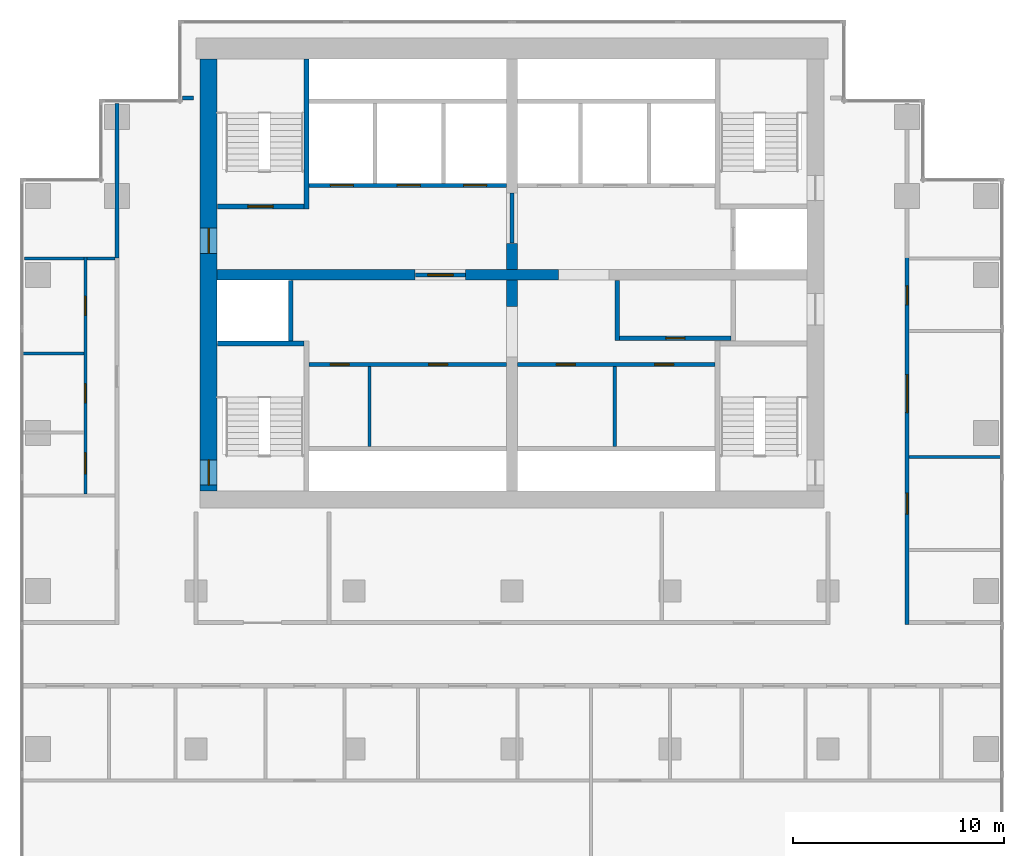
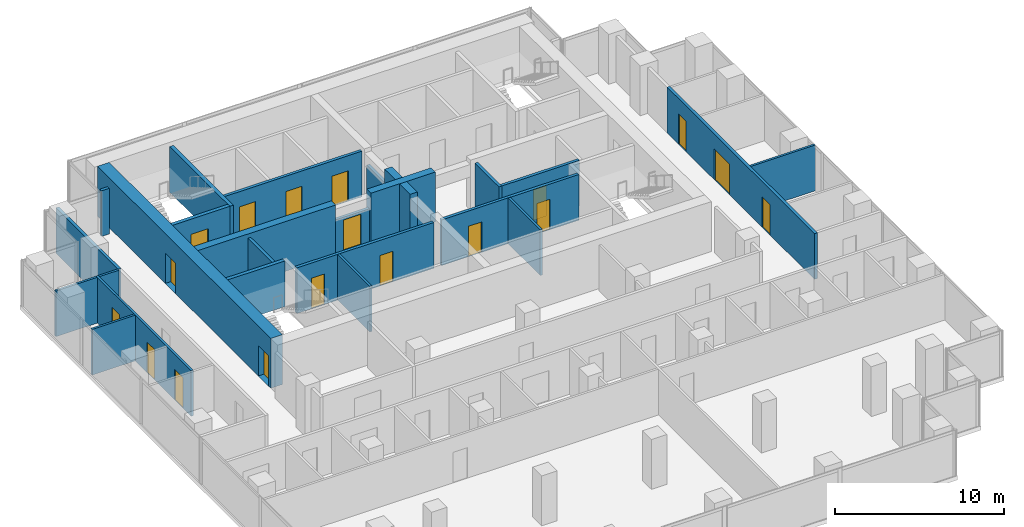
# One storey, part 8 of 10: 26 walls, 18 doors, 18 openings.
"""IFC4 building model written with IfcOpenShell, lengths in metres."""

from ifc_helpers import new_model, si_unit, direction, frame, frame_2d, origin, place, context, subcontext, project, spatial, rectangle, extrude, material, layer, layer_set, type_object, element, fill, save


model = new_model("IFC4")

# Units and contexts
model_context = context("Model", 3, precision=1e-05, world=origin(), true_north=direction((0.0, 1.0)))
body_context = subcontext(model_context, "Body", "Model", "MODEL_VIEW")
ifc_project = project(units=[si_unit("LENGTHUNIT", "METRE"), si_unit("AREAUNIT", "SQUARE_METRE"), si_unit("VOLUMEUNIT", "CUBIC_METRE"), si_unit("PLANEANGLEUNIT", "RADIAN"), si_unit("MASSUNIT", "GRAM", prefix="KILO")], contexts=[model_context])

# Site, building, storey
site_placement = place(None, origin())
site = spatial("IfcSite", under=ifc_project, at=site_placement, CompositionType="ELEMENT")
building_placement = place(site_placement, origin())
building = spatial("IfcBuilding", under=site, at=building_placement, Name="Pilkhan Gate Tower", CompositionType="ELEMENT")
storey_placement = place(building_placement, frame((0.0, 0.0, 169.300048828125)))
storey = spatial("IfcBuildingStorey", under=building, at=storey_placement, Name="L43", CompositionType="ELEMENT", Elevation=169.300048828125)

# Wall, openings, doors
ifc_material_1 = material(Name="Concrete C60/75", Category="concrete")
ifc_layer_1 = layer(ifc_material_1, 0.800048828125)
ifc_layer_set_1 = layer_set([ifc_layer_1], Name="Core wall CW800 C60/75")
wall_type_1 = type_object("IfcWallType", Name="Core wall CW800 C60/75", PredefinedType="SHEAR", material=ifc_layer_set_1)
wall_1_placement = place(storey_placement, frame((60.60009765625, 92.75, 0.0), z_axis=(0.0, 0.0, 1.0), x_axis=(0.0, -1.0, 0.0)))
wall_1 = element("IfcWall", 1, at=wall_1_placement, inside=storey, type_object=wall_type_1, Name="Core wall W L43", PredefinedType="SHEAR", context=body_context, shape_type="SweptSolid", body=[
    extrude(rectangle(XDim=20.5, YDim=0.800048828125, at=frame_2d((10.25, 0.0))), origin(), (0.0, 0.0, 1.0), 3.599853515625),
])
opening_1_placement = place(wall_1_placement, frame((19.02490234375, 0.0, 0.0)))
opening_1 = element("IfcOpeningElement", 2, at=opening_1_placement, cuts=wall_1, Name="Opening L43-04", PredefinedType="OPENING", context=body_context, shape_type="SweptSolid", body=[
    extrude(rectangle(XDim=1.199951171875, YDim=2.199951171875, at=frame_2d((0.60009765625, 1.10009765625))), frame((0.0, 0.409912109375, 0.0), z_axis=(0.0, -1.0, 0.0), x_axis=(1.0, 0.0, 0.0)), (0.0, 0.0, 1.0), 0.820068359375),
])
opening_2_placement = place(wall_1_placement, frame((8.02490234375, 0.0, 0.0)))
opening_2 = element("IfcOpeningElement", 3, at=opening_2_placement, cuts=wall_1, Name="Opening L43-13", PredefinedType="OPENING", context=body_context, shape_type="SweptSolid", body=[
    extrude(rectangle(XDim=1.199951171875, YDim=2.199951171875, at=frame_2d((0.60009765625, 1.10009765625))), frame((0.0, 0.409912109375, 0.0), z_axis=(0.0, -1.0, 0.0), x_axis=(1.0, 0.0, 0.0)), (0.0, 0.0, 1.0), 0.820068359375),
])
ifc_material_2 = material(Name="Steel door, 120 minute fire resisting, self-closing", Category="steel")
door_type_1 = type_object("IfcDoorType", Name="Firefighting lobby door D10 1200x2200", OperationType="SINGLE_SWING_LEFT", PredefinedType="DOOR", material=ifc_material_2)
door_1_placement = place(opening_2_placement, origin())
door_1 = element("IfcDoor", 4, at=door_1_placement, inside=storey, type_object=door_type_1, Name="Core door", OperationType="SINGLE_SWING_LEFT", OverallHeight=2.199951171875, OverallWidth=1.199951171875, PredefinedType="DOOR", context=body_context, shape_type="SweptSolid", body=[
    extrude(rectangle(XDim=1.199951171875, YDim=2.199951171875, at=frame_2d((0.60009765625, 1.10009765625))), frame((0.0, 0.02490234375, 0.0), z_axis=(0.0, -1.0, 0.0), x_axis=(1.0, 0.0, 0.0)), (0.0, 0.0, 1.0), 0.050048828125),
])
fill(opening_2, door_1)
ifc_material_3 = material(Name="Steel door, 120 minute fire resisting, panic bar", Category="steel")
door_type_2 = type_object("IfcDoorType", Name="Stair door D11 1200x2200", OperationType="SINGLE_SWING_LEFT", PredefinedType="DOOR", material=ifc_material_3)
door_2_placement = place(opening_1_placement, origin())
door_2 = element("IfcDoor", 5, at=door_2_placement, inside=storey, type_object=door_type_2, Name="Stair ST2 door", OperationType="SINGLE_SWING_RIGHT", OverallHeight=2.199951171875, OverallWidth=1.199951171875, PredefinedType="DOOR", context=body_context, shape_type="SweptSolid", body=[
    extrude(rectangle(XDim=1.199951171875, YDim=2.199951171875, at=frame_2d((0.60009765625, 1.10009765625))), frame((0.0, 0.02490234375, 0.0), z_axis=(0.0, -1.0, 0.0), x_axis=(1.0, 0.0, 0.0)), (0.0, 0.0, 1.0), 0.050048828125),
])
fill(opening_1, door_2)

# Walls
ifc_material_4 = material(Name="Dense blockwork", Category="masonry")
ifc_layer_2 = layer(ifc_material_4, 0.199951171875)
ifc_layer_set_2 = layer_set([ifc_layer_2], Name="Corridor wall FW200")
wall_type_2 = type_object("IfcWallType", Name="Corridor wall FW200", PredefinedType="PARTITIONING", material=ifc_layer_set_2)
wall_2_placement = place(storey_placement, frame((59.35498046875, 90.89990234375, 0.0), z_axis=(0.0, 0.0, 1.0), x_axis=(1.0, 0.0, 0.0)))
element("IfcWall", 6, at=wall_2_placement, inside=storey, type_object=wall_type_2, Name="Partition L43", PredefinedType="PARTITIONING", context=body_context, shape_type="SweptSolid", body=[
    extrude(rectangle(XDim=0.52490234375, YDim=0.199951171875, at=frame_2d((0.262451171875, 0.0))), origin(), (0.0, 0.0, 1.0), 3.300048828125),
])
wall_3_placement = place(storey_placement, frame((56.25, 83.31005859375, 0.0), z_axis=(0.0, 0.0, 1.0), x_axis=(0.0, 1.0, 0.0)))
element("IfcWall", 7, at=wall_3_placement, inside=storey, type_object=wall_type_2, Name="Partition L43", PredefinedType="PARTITIONING", context=body_context, shape_type="SweptSolid", body=[
    extrude(rectangle(XDim=7.3349609375, YDim=0.199951171875, at=frame_2d((3.66748046875, 0.0))), origin(), (0.0, 0.0, 1.0), 3.300048828125),
])

# Wall, openings, doors
wall_4_placement = place(storey_placement, frame((93.75, 65.89990234375, 0.0), z_axis=(0.0, 0.0, 1.0), x_axis=(0.0, 1.0, 0.0)))
wall_4 = element("IfcWall", 8, at=wall_4_placement, inside=storey, type_object=wall_type_2, Name="Partition L43", PredefinedType="PARTITIONING", context=body_context, shape_type="SweptSolid", body=[
    extrude(rectangle(XDim=17.455078125, YDim=0.199951171875, at=frame_2d((8.7275390625, 0.0))), origin(), (0.0, 0.0, 1.0), 3.300048828125),
])
opening_3_placement = place(wall_4_placement, frame((5.2470703125, 0.0, 0.0)))
opening_3 = element("IfcOpeningElement", 9, at=opening_3_placement, cuts=wall_4, Name="Opening L43-34", PredefinedType="OPENING", context=body_context, shape_type="SweptSolid", body=[
    extrude(rectangle(XDim=1.0, YDim=2.199951171875, at=frame_2d((0.5, 1.10009765625))), frame((0.0, 0.10986328125, 0.0), z_axis=(0.0, -1.0, 0.0), x_axis=(1.0, 0.0, 0.0)), (0.0, 0.0, 1.0), 0.219970703125),
])
opening_4_placement = place(wall_4_placement, frame((10.06689453125, 0.0, 0.0)))
opening_4 = element("IfcOpeningElement", 10, at=opening_4_placement, cuts=wall_4, Name="Opening L43-35", PredefinedType="OPENING", context=body_context, shape_type="SweptSolid", body=[
    extrude(rectangle(XDim=1.800048828125, YDim=2.199951171875, at=frame_2d((0.89990234375, 1.10009765625))), frame((0.0, 0.10986328125, 0.0), z_axis=(0.0, -1.0, 0.0), x_axis=(1.0, 0.0, 0.0)), (0.0, 0.0, 1.0), 0.219970703125),
])
opening_5_placement = place(wall_4_placement, frame((15.18310546875, 0.0, 0.0)))
opening_5 = element("IfcOpeningElement", 11, at=opening_5_placement, cuts=wall_4, Name="Opening L43-36", PredefinedType="OPENING", context=body_context, shape_type="SweptSolid", body=[
    extrude(rectangle(XDim=0.89990234375, YDim=2.199951171875, at=frame_2d((0.449951171875, 1.10009765625))), frame((0.0, 0.10986328125, 0.0), z_axis=(0.0, -1.0, 0.0), x_axis=(1.0, 0.0, 0.0)), (0.0, 0.0, 1.0), 0.219970703125),
])
ifc_material_5 = material(Name="Timber glazed double door, 30 minute fire resisting", Category="wood")
door_type_3 = type_object("IfcDoorType", Name="Double door D04 1800x2200", OperationType="DOUBLE_DOOR_SINGLE_SWING", PredefinedType="DOOR", material=ifc_material_5)
door_3_placement = place(opening_4_placement, origin())
door_3 = element("IfcDoor", 12, at=door_3_placement, inside=storey, type_object=door_type_3, Name="Double door", OperationType="DOUBLE_DOOR_SINGLE_SWING", OverallHeight=2.199951171875, OverallWidth=1.800048828125, PredefinedType="DOOR", context=body_context, shape_type="SweptSolid", body=[
    extrude(rectangle(XDim=1.800048828125, YDim=2.199951171875, at=frame_2d((0.89990234375, 1.10009765625))), frame((0.0, 0.02490234375, 0.0), z_axis=(0.0, -1.0, 0.0), x_axis=(1.0, 0.0, 0.0)), (0.0, 0.0, 1.0), 0.050048828125),
])
fill(opening_4, door_3)
ifc_material_6 = material(Name="Timber flush door, 30 minute fire resisting", Category="wood")
door_type_4 = type_object("IfcDoorType", Name="Room door D03 1000x2200", OperationType="SINGLE_SWING_LEFT", PredefinedType="DOOR", material=ifc_material_6)
door_4_placement = place(opening_3_placement, origin())
door_4 = element("IfcDoor", 13, at=door_4_placement, inside=storey, type_object=door_type_4, Name="Room door", OperationType="SINGLE_SWING_LEFT", OverallHeight=2.199951171875, OverallWidth=1.0, PredefinedType="DOOR", context=body_context, shape_type="SweptSolid", body=[
    extrude(rectangle(XDim=1.0, YDim=2.199951171875, at=frame_2d((0.5, 1.10009765625))), frame((0.0, 0.02490234375, 0.0), z_axis=(0.0, -1.0, 0.0), x_axis=(1.0, 0.0, 0.0)), (0.0, 0.0, 1.0), 0.050048828125),
])
fill(opening_3, door_4)
ifc_material_7 = material(Name="Timber flush door, 60 minute fire resisting, self-closing", Category="wood")
door_type_5 = type_object("IfcDoorType", Name="Store door D05 900x2200", OperationType="SINGLE_SWING_LEFT", PredefinedType="DOOR", material=ifc_material_7)
door_5_placement = place(opening_5_placement, origin())
door_5 = element("IfcDoor", 14, at=door_5_placement, inside=storey, type_object=door_type_5, Name="Store door", OperationType="SINGLE_SWING_LEFT", OverallHeight=2.199951171875, OverallWidth=0.89990234375, PredefinedType="DOOR", context=body_context, shape_type="SweptSolid", body=[
    extrude(rectangle(XDim=0.89990234375, YDim=2.199951171875, at=frame_2d((0.449951171875, 1.10009765625))), frame((0.0, 0.02490234375, 0.0), z_axis=(0.0, -1.0, 0.0), x_axis=(1.0, 0.0, 0.0)), (0.0, 0.0, 1.0), 0.050048828125),
])
fill(opening_5, door_5)

ifc_layer_3 = layer(ifc_material_4, 0.199951171875)
ifc_layer_set_3 = layer_set([ifc_layer_3], Name="Lobby wall LW200")
wall_type_3 = type_object("IfcWallType", Name="Lobby wall LW200", PredefinedType="PARTITIONING", material=ifc_layer_set_3)
wall_5_placement = place(storey_placement, frame((65.375, 78.25, 0.0), z_axis=(0.0, 0.0, 1.0), x_axis=(1.0, 0.0, 0.0)))
wall_5 = element("IfcWall", 15, at=wall_5_placement, inside=storey, type_object=wall_type_3, Name="Partition L43", PredefinedType="PARTITIONING", context=body_context, shape_type="SweptSolid", body=[
    extrude(rectangle(XDim=9.364990234375, YDim=0.199951171875, at=frame_2d((4.6826171875, 0.0))), origin(), (0.0, 0.0, 1.0), 3.300048828125),
])
opening_6_placement = place(wall_5_placement, frame((1.0, 0.0, 0.0)))
opening_6 = element("IfcOpeningElement", 16, at=opening_6_placement, cuts=wall_5, Name="Opening L43-14", PredefinedType="OPENING", context=body_context, shape_type="SweptSolid", body=[
    extrude(rectangle(XDim=0.89990234375, YDim=2.199951171875, at=frame_2d((0.449951171875, 1.10009765625))), frame((0.0, 0.10986328125, 0.0), z_axis=(0.0, -1.0, 0.0), x_axis=(1.0, 0.0, 0.0)), (0.0, 0.0, 1.0), 0.219970703125),
])
opening_7_placement = place(wall_5_placement, frame((5.6650390625, 0.0, 0.0)))
opening_7 = element("IfcOpeningElement", 17, at=opening_7_placement, cuts=wall_5, Name="Opening L43-15", PredefinedType="OPENING", context=body_context, shape_type="SweptSolid", body=[
    extrude(rectangle(XDim=0.89990234375, YDim=2.199951171875, at=frame_2d((0.449951171875, 1.10009765625))), frame((0.0, 0.10986328125, 0.0), z_axis=(0.0, -1.0, 0.0), x_axis=(1.0, 0.0, 0.0)), (0.0, 0.0, 1.0), 0.219970703125),
])
door_6_placement = place(opening_6_placement, origin())
door_6 = element("IfcDoor", 18, at=door_6_placement, inside=storey, type_object=door_type_5, Name="Store door", OperationType="SINGLE_SWING_RIGHT", OverallHeight=2.199951171875, OverallWidth=0.89990234375, PredefinedType="DOOR", context=body_context, shape_type="SweptSolid", body=[
    extrude(rectangle(XDim=0.89990234375, YDim=2.199951171875, at=frame_2d((0.449951171875, 1.10009765625))), frame((0.0, 0.02490234375, 0.0), z_axis=(0.0, -1.0, 0.0), x_axis=(1.0, 0.0, 0.0)), (0.0, 0.0, 1.0), 0.050048828125),
])
fill(opening_6, door_6)
door_7_placement = place(opening_7_placement, origin())
door_7 = element("IfcDoor", 19, at=door_7_placement, inside=storey, type_object=door_type_5, Name="Store door", OperationType="SINGLE_SWING_LEFT", OverallHeight=2.199951171875, OverallWidth=0.89990234375, PredefinedType="DOOR", context=body_context, shape_type="SweptSolid", body=[
    extrude(rectangle(XDim=0.89990234375, YDim=2.199951171875, at=frame_2d((0.449951171875, 1.10009765625))), frame((0.0, 0.02490234375, 0.0), z_axis=(0.0, -1.0, 0.0), x_axis=(1.0, 0.0, 0.0)), (0.0, 0.0, 1.0), 0.050048828125),
])
fill(opening_7, door_7)

wall_6_placement = place(storey_placement, frame((75.260009765625, 78.25, 0.0), z_axis=(0.0, 0.0, 1.0), x_axis=(1.0, 0.0, 0.0)))
wall_6 = element("IfcWall", 20, at=wall_6_placement, inside=storey, type_object=wall_type_3, Name="Partition L43", PredefinedType="PARTITIONING", context=body_context, shape_type="SweptSolid", body=[
    extrude(rectangle(XDim=9.364990234375, YDim=0.199951171875, at=frame_2d((4.6826171875, 0.0))), origin(), (0.0, 0.0, 1.0), 3.300048828125),
])
opening_8_placement = place(wall_6_placement, frame((1.85009765625, 0.0, 0.0)))
opening_8 = element("IfcOpeningElement", 21, at=opening_8_placement, cuts=wall_6, Name="Opening L43-16", PredefinedType="OPENING", context=body_context, shape_type="SweptSolid", body=[
    extrude(rectangle(XDim=0.89990234375, YDim=2.199951171875, at=frame_2d((0.449951171875, 1.10009765625))), frame((0.0, 0.10986328125, 0.0), z_axis=(0.0, -1.0, 0.0), x_axis=(1.0, 0.0, 0.0)), (0.0, 0.0, 1.0), 0.219970703125),
])
opening_9_placement = place(wall_6_placement, frame((6.514892578125, 0.0, 0.0)))
opening_9 = element("IfcOpeningElement", 22, at=opening_9_placement, cuts=wall_6, Name="Opening L43-17", PredefinedType="OPENING", context=body_context, shape_type="SweptSolid", body=[
    extrude(rectangle(XDim=0.89990234375, YDim=2.199951171875, at=frame_2d((0.449951171875, 1.10009765625))), frame((0.0, 0.10986328125, 0.0), z_axis=(0.0, -1.0, 0.0), x_axis=(1.0, 0.0, 0.0)), (0.0, 0.0, 1.0), 0.219970703125),
])
door_8_placement = place(opening_8_placement, origin())
door_8 = element("IfcDoor", 23, at=door_8_placement, inside=storey, type_object=door_type_5, Name="Store door", OperationType="SINGLE_SWING_RIGHT", OverallHeight=2.199951171875, OverallWidth=0.89990234375, PredefinedType="DOOR", context=body_context, shape_type="SweptSolid", body=[
    extrude(rectangle(XDim=0.89990234375, YDim=2.199951171875, at=frame_2d((0.449951171875, 1.10009765625))), frame((0.0, 0.02490234375, 0.0), z_axis=(0.0, -1.0, 0.0), x_axis=(1.0, 0.0, 0.0)), (0.0, 0.0, 1.0), 0.050048828125),
])
fill(opening_8, door_8)
door_9_placement = place(opening_9_placement, origin())
door_9 = element("IfcDoor", 24, at=door_9_placement, inside=storey, type_object=door_type_5, Name="Store door", OperationType="SINGLE_SWING_LEFT", OverallHeight=2.199951171875, OverallWidth=0.89990234375, PredefinedType="DOOR", context=body_context, shape_type="SweptSolid", body=[
    extrude(rectangle(XDim=0.89990234375, YDim=2.199951171875, at=frame_2d((0.449951171875, 1.10009765625))), frame((0.0, 0.02490234375, 0.0), z_axis=(0.0, -1.0, 0.0), x_axis=(1.0, 0.0, 0.0)), (0.0, 0.0, 1.0), 0.050048828125),
])
fill(opening_9, door_9)

# Wall, opening, door
wall_7_placement = place(storey_placement, frame((80.10009765625, 79.5, 0.0), z_axis=(0.0, 0.0, 1.0), x_axis=(1.0, 0.0, 0.0)))
wall_7 = element("IfcWall", 25, at=wall_7_placement, inside=storey, type_object=wall_type_3, Name="Partition L43", PredefinedType="PARTITIONING", context=body_context, shape_type="SweptSolid", body=[
    extrude(rectangle(XDim=5.2998046875, YDim=0.199951171875, at=frame_2d((2.64990234375, 0.0))), origin(), (0.0, 0.0, 1.0), 3.300048828125),
])
opening_10_placement = place(wall_7_placement, frame((2.199951171875, 0.0, 0.0)))
opening_10 = element("IfcOpeningElement", 26, at=opening_10_placement, cuts=wall_7, Name="Opening L43-12", PredefinedType="OPENING", context=body_context, shape_type="SweptSolid", body=[
    extrude(rectangle(XDim=0.89990234375, YDim=2.199951171875, at=frame_2d((0.449951171875, 1.10009765625))), frame((0.0, 0.10986328125, 0.0), z_axis=(0.0, -1.0, 0.0), x_axis=(1.0, 0.0, 0.0)), (0.0, 0.0, 1.0), 0.219970703125),
])
door_10_placement = place(opening_10_placement, origin())
door_10 = element("IfcDoor", 27, at=door_10_placement, inside=storey, type_object=door_type_5, Name="Store door", OperationType="SINGLE_SWING_RIGHT", OverallHeight=2.199951171875, OverallWidth=0.89990234375, PredefinedType="DOOR", context=body_context, shape_type="SweptSolid", body=[
    extrude(rectangle(XDim=0.89990234375, YDim=2.199951171875, at=frame_2d((0.449951171875, 1.10009765625))), frame((0.0, 0.02490234375, 0.0), z_axis=(0.0, -1.0, 0.0), x_axis=(1.0, 0.0, 0.0)), (0.0, 0.0, 1.0), 0.050048828125),
])
fill(opening_10, door_10)

wall_8_placement = place(storey_placement, frame((70.409912109375, 82.5, 0.0), z_axis=(0.0, 0.0, 1.0), x_axis=(1.0, 0.0, 0.0)))
wall_8 = element("IfcWall", 28, at=wall_8_placement, inside=storey, type_object=wall_type_3, Name="Partition L43", PredefinedType="PARTITIONING", context=body_context, shape_type="SweptSolid", body=[
    extrude(rectangle(XDim=2.380126953125, YDim=0.199951171875, at=frame_2d((1.18994140625, 0.0))), origin(), (0.0, 0.0, 1.0), 2.39990234375),
])
opening_11_placement = place(wall_8_placement, frame((0.60009765625, 0.0, 0.0)))
opening_11 = element("IfcOpeningElement", 29, at=opening_11_placement, cuts=wall_8, Name="Opening L43-01", PredefinedType="OPENING", context=body_context, shape_type="SweptSolid", body=[
    extrude(rectangle(XDim=1.199951171875, YDim=2.199951171875, at=frame_2d((0.60009765625, 1.10009765625))), frame((0.0, 0.10986328125, 0.0), z_axis=(0.0, -1.0, 0.0), x_axis=(1.0, 0.0, 0.0)), (0.0, 0.0, 1.0), 0.219970703125),
])
door_11_placement = place(opening_11_placement, origin())
door_11 = element("IfcDoor", 30, at=door_11_placement, inside=storey, type_object=door_type_1, Name="Firefighting lobby door", OperationType="SINGLE_SWING_LEFT", OverallHeight=2.199951171875, OverallWidth=1.199951171875, PredefinedType="DOOR", context=body_context, shape_type="SweptSolid", body=[
    extrude(rectangle(XDim=1.199951171875, YDim=2.199951171875, at=frame_2d((0.60009765625, 1.10009765625))), frame((0.0, 0.02490234375, 0.0), z_axis=(0.0, -1.0, 0.0), x_axis=(1.0, 0.0, 0.0)), (0.0, 0.0, 1.0), 0.050048828125),
])
fill(opening_11, door_11)

# Walls
wall_9_placement = place(storey_placement, frame((75.0, 84.010009765625, 0.0), z_axis=(0.0, 0.0, 1.0), x_axis=(0.0, 1.0, 0.0)))
element("IfcWall", 31, at=wall_9_placement, inside=storey, type_object=wall_type_3, Name="Partition L43", PredefinedType="PARTITIONING", context=body_context, shape_type="SweptSolid", body=[
    extrude(rectangle(XDim=2.3798828125, YDim=0.199951171875, at=frame_2d((1.18994140625, 0.0))), origin(), (0.0, 0.0, 1.0), 2.39990234375),
])
wall_10_placement = place(storey_placement, frame((80.0, 79.39990234375, 0.0), z_axis=(0.0, 0.0, 1.0), x_axis=(0.0, 1.0, 0.0)))
element("IfcWall", 32, at=wall_10_placement, inside=storey, type_object=wall_type_3, Name="Partition L43", PredefinedType="PARTITIONING", context=body_context, shape_type="SweptSolid", body=[
    extrude(rectangle(XDim=2.840087890625, YDim=0.199951171875, at=frame_2d((1.419921875, 0.0))), origin(), (0.0, 0.0, 1.0), 3.300048828125),
])
ifc_material_8 = material(Name="Blockwork partition, plastered both sides", Category="masonry")
ifc_layer_4 = layer(ifc_material_8, 0.14990234375)
ifc_layer_set_4 = layer_set([ifc_layer_4], Name="Partition PW150")
wall_type_4 = type_object("IfcWallType", Name="Partition PW150", PredefinedType="PARTITIONING", material=ifc_layer_set_4)
wall_11_placement = place(storey_placement, frame((93.85009765625, 73.866943359375, 0.0), z_axis=(0.0, 0.0, 1.0), x_axis=(1.0, 0.0, 0.0)))
element("IfcWall", 33, at=wall_11_placement, inside=storey, type_object=wall_type_4, Name="Partition L43", PredefinedType="PARTITIONING", context=body_context, shape_type="SweptSolid", body=[
    extrude(rectangle(XDim=4.414794921875, YDim=0.14990234375, at=frame_2d((2.20751953125, 0.0))), origin(), (0.0, 0.0, 1.0), 3.300048828125),
])
wall_12_placement = place(storey_placement, frame((51.735107421875, 78.780029296875, 0.0), z_axis=(0.0, 0.0, 1.0), x_axis=(1.0, 0.0, 0.0)))
element("IfcWall", 34, at=wall_12_placement, inside=storey, type_object=wall_type_4, Name="Partition L43", PredefinedType="PARTITIONING", context=body_context, shape_type="SweptSolid", body=[
    extrude(rectangle(XDim=2.93994140625, YDim=0.14990234375, at=frame_2d((1.469970703125, 0.0))), origin(), (0.0, 0.0, 1.0), 3.300048828125),
])
wall_13_placement = place(storey_placement, frame((51.85498046875, 83.280029296875, 0.0), z_axis=(0.0, 0.0, 1.0), x_axis=(1.0, 0.0, 0.0)))
element("IfcWall", 35, at=wall_13_placement, inside=storey, type_object=wall_type_4, Name="Partition L43", PredefinedType="PARTITIONING", context=body_context, shape_type="SweptSolid", body=[
    extrude(rectangle(XDim=2.820068359375, YDim=0.14990234375, at=frame_2d((1.41015625, 0.0))), origin(), (0.0, 0.0, 1.0), 3.300048828125),
])
wall_14_placement = place(storey_placement, frame((54.824951171875, 83.280029296875, 0.0), z_axis=(0.0, 0.0, 1.0), x_axis=(1.0, 0.0, 0.0)))
element("IfcWall", 36, at=wall_14_placement, inside=storey, type_object=wall_type_4, Name="Partition L43", PredefinedType="PARTITIONING", context=body_context, shape_type="SweptSolid", body=[
    extrude(rectangle(XDim=1.324951171875, YDim=0.14990234375, at=frame_2d((0.66259765625, 0.0))), origin(), (0.0, 0.0, 1.0), 3.300048828125),
])

# Wall, openings, doors
wall_15_placement = place(storey_placement, frame((54.75, 72.10498046875, 0.0), z_axis=(0.0, 0.0, 1.0), x_axis=(0.0, 1.0, 0.0)))
wall_15 = element("IfcWall", 37, at=wall_15_placement, inside=storey, type_object=wall_type_4, Name="Partition L43", PredefinedType="PARTITIONING", context=body_context, shape_type="SweptSolid", body=[
    extrude(rectangle(XDim=11.25, YDim=0.14990234375, at=frame_2d((5.625, 0.0))), origin(), (0.0, 0.0, 1.0), 3.300048828125),
])
opening_12_placement = place(wall_15_placement, frame((0.949951171875, 0.0, 0.0)))
opening_12 = element("IfcOpeningElement", 38, at=opening_12_placement, cuts=wall_15, Name="Opening L43-29", PredefinedType="OPENING", context=body_context, shape_type="SweptSolid", body=[
    extrude(rectangle(XDim=1.0, YDim=2.199951171875, at=frame_2d((0.5, 1.10009765625))), frame((0.0, 0.0849609375, 0.0), z_axis=(0.0, -1.0, 0.0), x_axis=(1.0, 0.0, 0.0)), (0.0, 0.0, 1.0), 0.169921875),
])
opening_13_placement = place(wall_15_placement, frame((4.324951171875, 0.0, 0.0)))
opening_13 = element("IfcOpeningElement", 39, at=opening_13_placement, cuts=wall_15, Name="Opening L43-30", PredefinedType="OPENING", context=body_context, shape_type="SweptSolid", body=[
    extrude(rectangle(XDim=0.89990234375, YDim=2.199951171875, at=frame_2d((0.449951171875, 1.10009765625))), frame((0.0, 0.0849609375, 0.0), z_axis=(0.0, -1.0, 0.0), x_axis=(1.0, 0.0, 0.0)), (0.0, 0.0, 1.0), 0.169921875),
])
opening_14_placement = place(wall_15_placement, frame((8.47509765625, 0.0, 0.0)))
opening_14 = element("IfcOpeningElement", 40, at=opening_14_placement, cuts=wall_15, Name="Opening L43-31", PredefinedType="OPENING", context=body_context, shape_type="SweptSolid", body=[
    extrude(rectangle(XDim=0.89990234375, YDim=2.199951171875, at=frame_2d((0.449951171875, 1.10009765625))), frame((0.0, 0.0849609375, 0.0), z_axis=(0.0, -1.0, 0.0), x_axis=(1.0, 0.0, 0.0)), (0.0, 0.0, 1.0), 0.169921875),
])
ifc_material_9 = material(Name="Timber flush door, outward opening, 30 minute fire resisting", Category="wood")
door_type_6 = type_object("IfcDoorType", Name="Accessible toilet door D07 1000x2200", OperationType="SINGLE_SWING_LEFT", PredefinedType="DOOR", material=ifc_material_9)
door_12_placement = place(opening_12_placement, origin())
door_12 = element("IfcDoor", 41, at=door_12_placement, inside=storey, type_object=door_type_6, Name="Accessible toilet door", OperationType="SINGLE_SWING_RIGHT", OverallHeight=2.199951171875, OverallWidth=1.0, PredefinedType="DOOR", context=body_context, shape_type="SweptSolid", body=[
    extrude(rectangle(XDim=1.0, YDim=2.199951171875, at=frame_2d((0.5, 1.10009765625))), frame((0.0, 0.02490234375, 0.0), z_axis=(0.0, -1.0, 0.0), x_axis=(1.0, 0.0, 0.0)), (0.0, 0.0, 1.0), 0.050048828125),
])
fill(opening_12, door_12)
door_type_7 = type_object("IfcDoorType", Name="Toilet door D06 900x2200", OperationType="SINGLE_SWING_LEFT", PredefinedType="DOOR", material=ifc_material_6)
door_13_placement = place(opening_13_placement, origin())
door_13 = element("IfcDoor", 42, at=door_13_placement, inside=storey, type_object=door_type_7, Name="Toilet door", OperationType="SINGLE_SWING_LEFT", OverallHeight=2.199951171875, OverallWidth=0.89990234375, PredefinedType="DOOR", context=body_context, shape_type="SweptSolid", body=[
    extrude(rectangle(XDim=0.89990234375, YDim=2.199951171875, at=frame_2d((0.449951171875, 1.10009765625))), frame((0.0, 0.02490234375, 0.0), z_axis=(0.0, -1.0, 0.0), x_axis=(1.0, 0.0, 0.0)), (0.0, 0.0, 1.0), 0.050048828125),
])
fill(opening_13, door_13)
door_14_placement = place(opening_14_placement, origin())
door_14 = element("IfcDoor", 43, at=door_14_placement, inside=storey, type_object=door_type_7, Name="Toilet door", OperationType="SINGLE_SWING_LEFT", OverallHeight=2.199951171875, OverallWidth=0.89990234375, PredefinedType="DOOR", context=body_context, shape_type="SweptSolid", body=[
    extrude(rectangle(XDim=0.89990234375, YDim=2.199951171875, at=frame_2d((0.449951171875, 1.10009765625))), frame((0.0, 0.02490234375, 0.0), z_axis=(0.0, -1.0, 0.0), x_axis=(1.0, 0.0, 0.0)), (0.0, 0.0, 1.0), 0.050048828125),
])
fill(opening_14, door_14)

# Walls
for number, where, z_axis, x_axis, name in (
    (44, (68.239990234375, 74.35009765625, 0.0), (0.0, 0.0, 1.0), (0.0, 1.0, 0.0), "Partition L43"),
    (45, (79.875, 74.35009765625, 0.0), (0.0, 0.0, 1.0), (0.0, 1.0, 0.0), "Partition L43"),
):
    element("IfcWall", number, at=place(storey_placement, frame(where, z_axis=z_axis, x_axis=x_axis)), inside=storey, type_object=wall_type_4, Name=name, PredefinedType="PARTITIONING", context=body_context, shape_type="SweptSolid", body=[
        extrude(rectangle(XDim=3.7998046875, YDim=0.14990234375, at=frame_2d((1.89990234375, 0.0))), origin(), (0.0, 0.0, 1.0), 3.300048828125),
    ])

# Wall, openings, doors
ifc_material_10 = material(Name="Reinforced blockwork shaft wall, 120 minute fire resisting", Category="masonry")
ifc_layer_5 = layer(ifc_material_10, 0.199951171875)
ifc_layer_set_5 = layer_set([ifc_layer_5], Name="Shaft wall SW200")
wall_type_5 = type_object("IfcWallType", Name="Shaft wall SW200", PredefinedType="PARTITIONING", material=ifc_layer_set_5)
wall_16_placement = place(storey_placement, frame((65.375, 86.75, 0.0), z_axis=(0.0, 0.0, 1.0), x_axis=(1.0, 0.0, 0.0)))
wall_16 = element("IfcWall", 46, at=wall_16_placement, inside=storey, type_object=wall_type_5, Name="Partition L43", PredefinedType="PARTITIONING", context=body_context, shape_type="SweptSolid", body=[
    extrude(rectangle(XDim=9.364990234375, YDim=0.199951171875, at=frame_2d((4.6826171875, 0.0))), origin(), (0.0, 0.0, 1.0), 3.300048828125),
])
opening_15_placement = place(wall_16_placement, frame((1.0, 0.0, 0.0)))
opening_15 = element("IfcOpeningElement", 47, at=opening_15_placement, cuts=wall_16, Name="Opening LD", PredefinedType="OPENING", context=body_context, shape_type="SweptSolid", body=[
    extrude(rectangle(XDim=1.10009765625, YDim=2.199951171875, at=frame_2d((0.550048828125, 1.10009765625))), frame((0.0, 0.10986328125, 0.0), z_axis=(0.0, -1.0, 0.0), x_axis=(1.0, 0.0, 0.0)), (0.0, 0.0, 1.0), 0.219970703125),
])
opening_16_placement = place(wall_16_placement, frame((4.175048828125, 0.0, 0.0)))
opening_16 = element("IfcOpeningElement", 48, at=opening_16_placement, cuts=wall_16, Name="Opening LD", PredefinedType="OPENING", context=body_context, shape_type="SweptSolid", body=[
    extrude(rectangle(XDim=1.10009765625, YDim=2.199951171875, at=frame_2d((0.550048828125, 1.10009765625))), frame((0.0, 0.10986328125, 0.0), z_axis=(0.0, -1.0, 0.0), x_axis=(1.0, 0.0, 0.0)), (0.0, 0.0, 1.0), 0.219970703125),
])
opening_17_placement = place(wall_16_placement, frame((7.324951171875, 0.0, 0.0)))
opening_17 = element("IfcOpeningElement", 49, at=opening_17_placement, cuts=wall_16, Name="Opening LD", PredefinedType="OPENING", context=body_context, shape_type="SweptSolid", body=[
    extrude(rectangle(XDim=1.10009765625, YDim=2.199951171875, at=frame_2d((0.550048828125, 1.10009765625))), frame((0.0, 0.10986328125, 0.0), z_axis=(0.0, -1.0, 0.0), x_axis=(1.0, 0.0, 0.0)), (0.0, 0.0, 1.0), 0.219970703125),
])
ifc_material_11 = material(Name="Stainless steel centre-opening landing door, 120 minute fire resisting", Category="steel")
door_type_8 = type_object("IfcDoorType", Name="Lift landing door LD 1100x2200", OperationType="DOUBLE_DOOR_SLIDING", PredefinedType="DOOR", material=ifc_material_11)
door_15_placement = place(opening_15_placement, origin())
door_15 = element("IfcDoor", 50, at=door_15_placement, inside=storey, type_object=door_type_8, Name="Landing door FF1", OperationType="DOUBLE_DOOR_SLIDING", OverallHeight=2.199951171875, OverallWidth=1.10009765625, PredefinedType="DOOR", context=body_context, shape_type="SweptSolid", body=[
    extrude(rectangle(XDim=1.10009765625, YDim=2.199951171875, at=frame_2d((0.550048828125, 1.10009765625))), frame((0.0, 0.02490234375, 0.0), z_axis=(0.0, -1.0, 0.0), x_axis=(1.0, 0.0, 0.0)), (0.0, 0.0, 1.0), 0.050048828125),
])
fill(opening_15, door_15)
door_16_placement = place(opening_16_placement, origin())
door_16 = element("IfcDoor", 51, at=door_16_placement, inside=storey, type_object=door_type_8, Name="Landing door FF2", OperationType="DOUBLE_DOOR_SLIDING", OverallHeight=2.199951171875, OverallWidth=1.10009765625, PredefinedType="DOOR", context=body_context, shape_type="SweptSolid", body=[
    extrude(rectangle(XDim=1.10009765625, YDim=2.199951171875, at=frame_2d((0.550048828125, 1.10009765625))), frame((0.0, 0.02490234375, 0.0), z_axis=(0.0, -1.0, 0.0), x_axis=(1.0, 0.0, 0.0)), (0.0, 0.0, 1.0), 0.050048828125),
])
fill(opening_16, door_16)
door_17_placement = place(opening_17_placement, origin())
door_17 = element("IfcDoor", 52, at=door_17_placement, inside=storey, type_object=door_type_8, Name="Landing door SV1", OperationType="DOUBLE_DOOR_SLIDING", OverallHeight=2.199951171875, OverallWidth=1.10009765625, PredefinedType="DOOR", context=body_context, shape_type="SweptSolid", body=[
    extrude(rectangle(XDim=1.10009765625, YDim=2.199951171875, at=frame_2d((0.550048828125, 1.10009765625))), frame((0.0, 0.02490234375, 0.0), z_axis=(0.0, -1.0, 0.0), x_axis=(1.0, 0.0, 0.0)), (0.0, 0.0, 1.0), 0.050048828125),
])
fill(opening_17, door_17)

# Walls
wall_17_placement = place(storey_placement, frame((64.5, 79.375, 0.0), z_axis=(0.0, 0.0, 1.0), x_axis=(0.0, 1.0, 0.0)))
element("IfcWall", 53, at=wall_17_placement, inside=storey, type_object=wall_type_5, Name="Partition L43", PredefinedType="PARTITIONING", context=body_context, shape_type="SweptSolid", body=[
    extrude(rectangle(XDim=2.864990234375, YDim=0.199951171875, at=frame_2d((1.4326171875, 0.0))), origin(), (0.0, 0.0, 1.0), 3.300048828125),
])
ifc_layer_6 = layer(ifc_material_1, 0.5)
ifc_layer_set_6 = layer_set([ifc_layer_6], Name="Spine wall SW500 C60/75")
wall_type_6 = type_object("IfcWallType", Name="Spine wall SW500 C60/75", PredefinedType="SHEAR", material=ifc_layer_set_6)
wall_18_placement = place(storey_placement, frame((61.0, 82.5, 0.0), z_axis=(0.0, 0.0, 1.0), x_axis=(1.0, 0.0, 0.0)))
element("IfcWall", 54, at=wall_18_placement, inside=storey, type_object=wall_type_6, Name="Spine wall SP-EW1 L43", PredefinedType="SHEAR", context=body_context, shape_type="SweptSolid", body=[
    extrude(rectangle(XDim=9.39990234375, YDim=0.5, at=frame_2d((4.699951171875, 0.0))), origin(), (0.0, 0.0, 1.0), 3.599853515625),
])
wall_19_placement = place(storey_placement, frame((72.800048828125, 82.5, 0.0), z_axis=(0.0, 0.0, 1.0), x_axis=(1.0, 0.0, 0.0)))
element("IfcWall", 55, at=wall_19_placement, inside=storey, type_object=wall_type_6, Name="Spine wall SP-EW2 L43", PredefinedType="SHEAR", context=body_context, shape_type="SweptSolid", body=[
    extrude(rectangle(XDim=4.39990234375, YDim=0.5, at=frame_2d((2.199951171875, 0.0))), origin(), (0.0, 0.0, 1.0), 3.599853515625),
])
for number, where, z_axis, x_axis, name in (
    (56, (75.0, 81.0, 0.0), (0.0, 0.0, 1.0), (0.0, 1.0, 0.0), "Spine wall SP-NS-S2 L43"),
    (57, (75.0, 82.75, 0.0), (0.0, 0.0, 1.0), (0.0, 1.0, 0.0), "Spine wall SP-NS-N1 L43"),
):
    element("IfcWall", number, at=place(storey_placement, frame(where, z_axis=z_axis, x_axis=x_axis)), inside=storey, type_object=wall_type_6, Name=name, PredefinedType="SHEAR", context=body_context, shape_type="SweptSolid", body=[
        extrude(rectangle(XDim=1.25, YDim=0.5, at=frame_2d((0.625, 0.0))), origin(), (0.0, 0.0, 1.0), 3.599853515625),
    ])
ifc_material_12 = material(Name="Reinforced blockwork, 120 minute fire resisting", Category="masonry")
ifc_layer_7 = layer(ifc_material_12, 0.25)
ifc_layer_set_7 = layer_set([ifc_layer_7], Name="Stair enclosure wall SE250")
wall_type_7 = type_object("IfcWallType", Name="Stair enclosure wall SE250", PredefinedType="PARTITIONING", material=ifc_layer_set_7)
wall_20_placement = place(storey_placement, frame((61.010009765625, 79.25, 0.0), z_axis=(0.0, 0.0, 1.0), x_axis=(1.0, 0.0, 0.0)))
element("IfcWall", 58, at=wall_20_placement, inside=storey, type_object=wall_type_7, Name="Partition L43", PredefinedType="PARTITIONING", context=body_context, shape_type="SweptSolid", body=[
    extrude(rectangle(XDim=4.114990234375, YDim=0.25, at=frame_2d((2.0576171875, 0.0))), origin(), (0.0, 0.0, 1.0), 3.300048828125),
])

# Wall, opening, door
wall_21_placement = place(storey_placement, frame((61.010009765625, 85.75, 0.0), z_axis=(0.0, 0.0, 1.0), x_axis=(1.0, 0.0, 0.0)))
wall_21 = element("IfcWall", 59, at=wall_21_placement, inside=storey, type_object=wall_type_7, Name="Partition L43", PredefinedType="PARTITIONING", context=body_context, shape_type="SweptSolid", body=[
    extrude(rectangle(XDim=4.114990234375, YDim=0.25, at=frame_2d((2.0576171875, 0.0))), origin(), (0.0, 0.0, 1.0), 3.300048828125),
])
opening_18_placement = place(wall_21_placement, frame((1.449951171875, 0.0, 0.0)))
opening_18 = element("IfcOpeningElement", 60, at=opening_18_placement, cuts=wall_21, Name="Opening L43-02", PredefinedType="OPENING", context=body_context, shape_type="SweptSolid", body=[
    extrude(rectangle(XDim=1.199951171875, YDim=2.199951171875, at=frame_2d((0.60009765625, 1.10009765625))), frame((0.0, 0.135009765625, 0.0), z_axis=(0.0, -1.0, 0.0), x_axis=(1.0, 0.0, 0.0)), (0.0, 0.0, 1.0), 0.27001953125),
])
door_18_placement = place(opening_18_placement, origin())
door_18 = element("IfcDoor", 61, at=door_18_placement, inside=storey, type_object=door_type_2, Name="Stair ST3 lobby door", OperationType="SINGLE_SWING_LEFT", OverallHeight=2.199951171875, OverallWidth=1.199951171875, PredefinedType="DOOR", context=body_context, shape_type="SweptSolid", body=[
    extrude(rectangle(XDim=1.199951171875, YDim=2.199951171875, at=frame_2d((0.60009765625, 1.10009765625))), frame((0.0, 0.02490234375, 0.0), z_axis=(0.0, -1.0, 0.0), x_axis=(1.0, 0.0, 0.0)), (0.0, 0.0, 1.0), 0.050048828125),
])
fill(opening_18, door_18)

# Wall
wall_22_placement = place(storey_placement, frame((65.25, 85.625, 0.0), z_axis=(0.0, 0.0, 1.0), x_axis=(0.0, 1.0, 0.0)))
element("IfcWall", 62, at=wall_22_placement, inside=storey, type_object=wall_type_7, Name="Partition L43", PredefinedType="PARTITIONING", context=body_context, shape_type="SweptSolid", body=[
    extrude(rectangle(XDim=7.114990234375, YDim=0.25, at=frame_2d((3.5576171875, 0.0))), origin(), (0.0, 0.0, 1.0), 3.300048828125),
])

save(model, "model.ifc")
